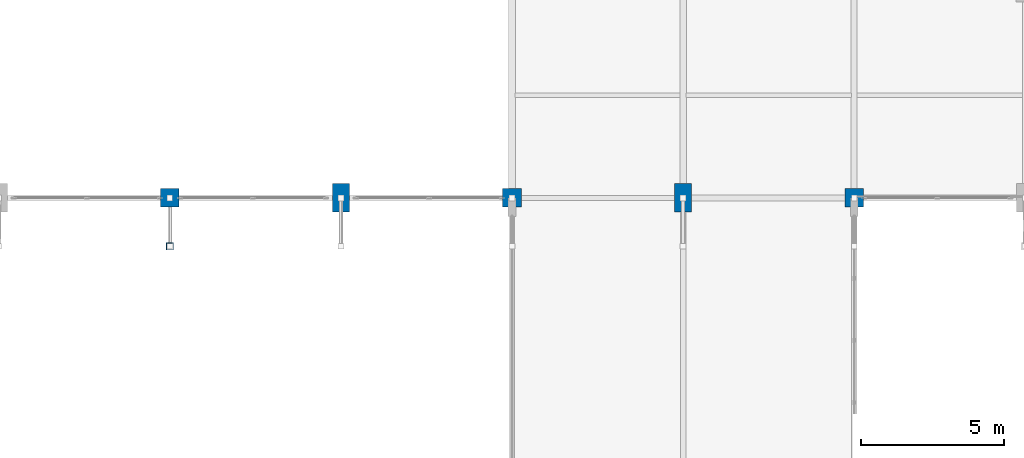
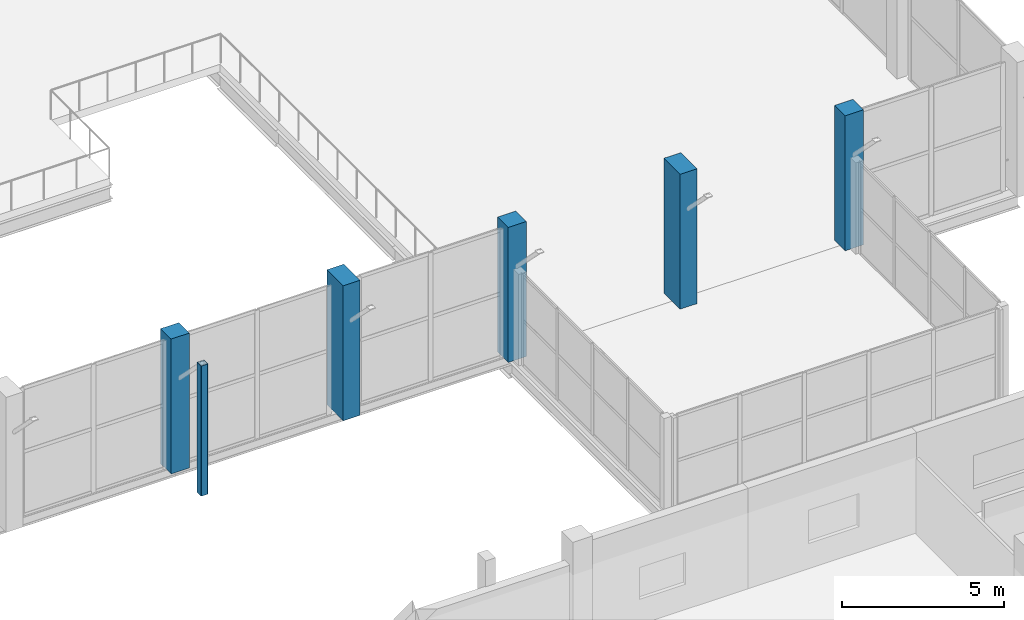
# One storey, part 4 of 127: 6 columns.
"""IFC4 building model written with IfcOpenShell, lengths in metres."""

from ifc_helpers import new_model, si_unit, direction, frame, origin, origin_2d, place, context, subcontext, project, spatial, rectangle, hollow_rectangle, extrude, material, material_profile, profile_set, type_object, element, save


model = new_model("IFC4")

# Units and contexts
model_context = context("Model", 3, precision=1e-05, world=origin(), true_north=direction((0.0, 1.0)))
body_context = subcontext(model_context, "Body", "Model", "MODEL_VIEW")
ifc_project = project(units=[si_unit("LENGTHUNIT", "METRE"), si_unit("AREAUNIT", "SQUARE_METRE"), si_unit("VOLUMEUNIT", "CUBIC_METRE"), si_unit("PLANEANGLEUNIT", "RADIAN"), si_unit("MASSUNIT", "GRAM", prefix="KILO")], contexts=[model_context])

# Site, building, storey
site_placement = place(None, origin())
site = spatial("IfcSite", under=ifc_project, at=site_placement, CompositionType="ELEMENT")
building_placement = place(site_placement, origin())
building = spatial("IfcBuilding", under=site, at=building_placement, Name="Dunvalen Ferry Terminal", CompositionType="ELEMENT")
storey_placement = place(building_placement, frame((0.0, 0.0, 5.760009765625)))
storey = spatial("IfcBuildingStorey", under=building, at=storey_placement, Name="L01", CompositionType="ELEMENT", Elevation=5.760009765625)

# Columns
ifc_material_1 = material(Name="Concrete C40/50", Category="concrete")
ifc_material_profile_1 = material_profile(ifc_material_1, rectangle(XDim=0.60009765625, YDim=1.0, at=origin_2d()), Name="Concrete C40/50")
ifc_profile_set_1 = profile_set([ifc_material_profile_1], Name="Concrete C40/50")
column_type_1 = type_object("IfcColumnType", Name="STR-COL-PIER1000", PredefinedType="COLUMN", material=ifc_profile_set_1)
for number, where, z_axis, x_axis, name in (
    (1, (72.0, 50.39990234375, 0.0), (0.0, 0.0, 1.0), (1.0, 0.0, 0.0), "L01 Departure Hall Upper Pier 11"),
    (2, (84.0, 50.39990234375, 0.0), (0.0, 0.0, 1.0), (1.0, 0.0, 0.0), "L01 Departure Hall Upper Pier 13"),
):
    element("IfcColumn", number, at=place(storey_placement, frame(where, z_axis=z_axis, x_axis=x_axis)), inside=storey, type_object=column_type_1, Name=name, PredefinedType="COLUMN", context=body_context, shape_type="SweptSolid", body=[
        extrude(rectangle(XDim=0.60009765625, YDim=1.0, at=origin_2d()), origin(), (0.0, 0.0, 1.0), 5.080078125),
    ])
ifc_material_profile_2 = material_profile(ifc_material_1, rectangle(XDim=0.64990234375, YDim=0.64990234375, at=origin_2d()), Name="Concrete C40/50")
ifc_profile_set_2 = profile_set([ifc_material_profile_2], Name="Concrete C40/50")
column_type_2 = type_object("IfcColumnType", Name="STR-COL-RC650", PredefinedType="COLUMN", material=ifc_profile_set_2)
for number, where, z_axis, x_axis, name in (
    (3, (66.0, 50.39990234375, 0.0), (0.0, 0.0, 1.0), (1.0, 0.0, 0.0), "L01 Departure Hall Upper Pier 10"),
    (4, (78.0, 50.39990234375, 0.0), (0.0, 0.0, 1.0), (1.0, 0.0, 0.0), "L01 Departure Hall Upper Pier 12"),
    (5, (90.0, 50.39990234375, 0.0), (0.0, 0.0, 1.0), (1.0, 0.0, 0.0), "L01 Departure Hall Upper Pier 14"),
):
    element("IfcColumn", number, at=place(storey_placement, frame(where, z_axis=z_axis, x_axis=x_axis)), inside=storey, type_object=column_type_2, Name=name, PredefinedType="COLUMN", context=body_context, shape_type="SweptSolid", body=[
        extrude(rectangle(XDim=0.64990234375, YDim=0.64990234375, at=origin_2d()), origin(), (0.0, 0.0, 1.0), 5.080078125),
    ])
ifc_material_2 = material(Name="Steel S355", Category="steel")
ifc_material_profile_3 = material_profile(ifc_material_2, hollow_rectangle(XDim=0.25, YDim=0.25, WallThickness=0.010009765625, InnerFilletRadius=0.010009765625, OuterFilletRadius=0.02001953125, at=origin_2d()), Name="Steel S355")
ifc_profile_set_3 = profile_set([ifc_material_profile_3], Name="Steel S355")
column_type_3 = type_object("IfcColumnType", Name="STR-COL-SHS250", PredefinedType="COLUMN", material=ifc_profile_set_3)
column_placement = place(storey_placement, frame((66.0, 48.699951171875, 0.0), z_axis=(0.0, 0.0, 1.0), x_axis=(1.0, 0.0, 0.0)))
element("IfcColumn", 6, at=column_placement, inside=storey, type_object=column_type_3, Name="L01 Eave Colonnade Post 5", PredefinedType="COLUMN", context=body_context, shape_type="SweptSolid", body=[
    extrude(hollow_rectangle(XDim=0.25, YDim=0.25, WallThickness=0.010009765625, InnerFilletRadius=0.010009765625, OuterFilletRadius=0.02001953125, at=origin_2d()), origin(), (0.0, 0.0, 1.0), 4.89990234375),
])

save(model, "model.ifc")
